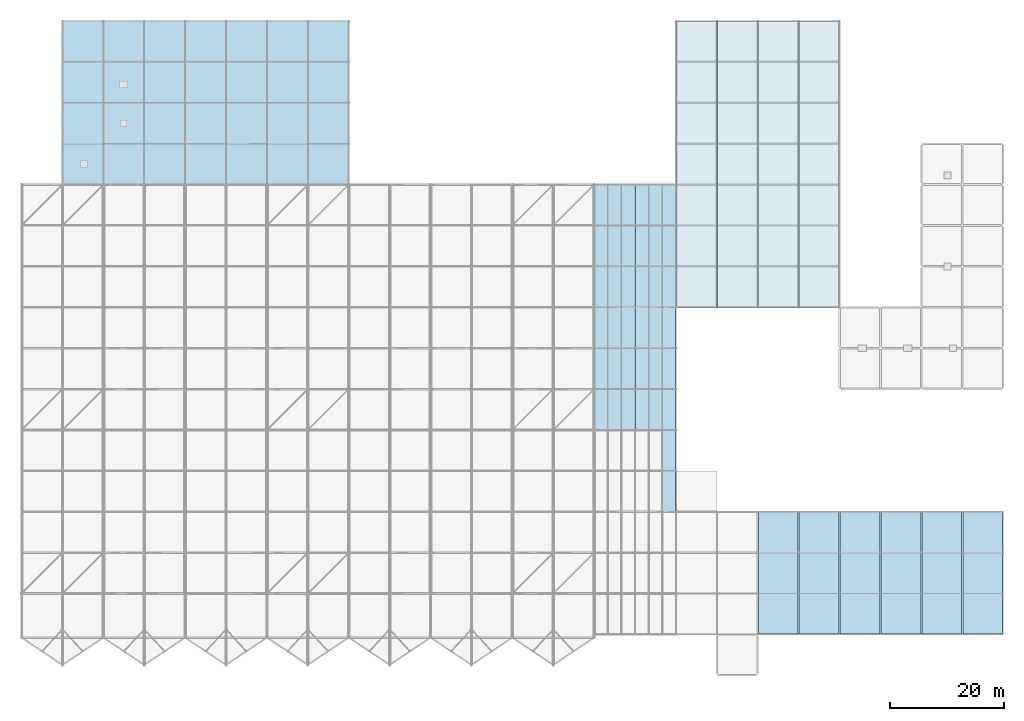
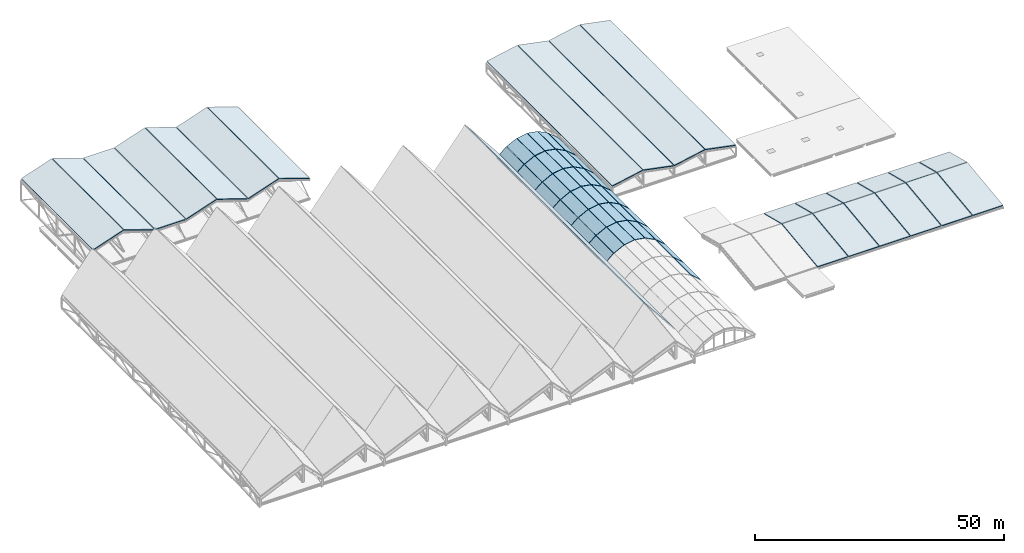
# One storey, part 59 of 60: 62 roofs.
"""IFC4 building model written with IfcOpenShell, lengths in metres."""

from ifc_helpers import new_model, si_unit, direction, frame, origin, place, context, subcontext, project, spatial, polyline, outline, extrude, material, layer, layer_set, type_object, element, save


model = new_model("IFC4")

# Units and contexts
model_context = context("Model", 3, precision=1e-05, world=origin(), true_north=direction((0.0, 1.0)))
body_context = subcontext(model_context, "Body", "Model", "MODEL_VIEW")
ifc_project = project(units=[si_unit("LENGTHUNIT", "METRE"), si_unit("AREAUNIT", "SQUARE_METRE"), si_unit("VOLUMEUNIT", "CUBIC_METRE"), si_unit("PLANEANGLEUNIT", "RADIAN"), si_unit("MASSUNIT", "GRAM", prefix="KILO")], contexts=[model_context])

# Site, building, storey
site_placement = place(None, origin())
site = spatial("IfcSite", under=ifc_project, at=site_placement, CompositionType="ELEMENT")
building_placement = place(site_placement, origin())
building = spatial("IfcBuilding", under=site, at=building_placement, Name="Vesperath Aquatics Centre", CompositionType="ELEMENT")
storey_placement = place(building_placement, frame((0.0, 0.0, 27.60009765625)))
storey = spatial("IfcBuildingStorey", under=building, at=storey_placement, Name="RF", CompositionType="ELEMENT", Elevation=27.60009765625)

# Roofs
ifc_material_1 = material(Name="Insulated zinc-copper and aerogel barrel vault roof")
ifc_layer_1 = layer(ifc_material_1, 0.199951171875)
ifc_layer_set_1 = layer_set([ifc_layer_1], Name="Insulated zinc-copper and aerogel barrel vault roof")
roof_type_1 = type_object("IfcRoofType", Name="RF-BV01", PredefinedType="BARREL_ROOF", material=ifc_layer_set_1)
for number, where, z_axis, x_axis, name in (
    (1, (112.840087890625, 28.840087890625, -8.9501953125), (0.652968003317, 0.0, 0.757385494081), (0.757385494081, 0.0, -0.652968003317), "Conservatory Barrel Vault Facet RFB1 E-6"),
    (2, (112.840087890625, 36.0400390625, -8.9501953125), (0.652968003317, 0.0, 0.757385494081), (0.757385494081, 0.0, -0.652968003317), "Conservatory Barrel Vault Facet RFB1 F-6"),
):
    element("IfcRoof", number, at=place(storey_placement, frame(where, z_axis=z_axis, x_axis=x_axis)), inside=storey, type_object=roof_type_1, Name=name, PredefinedType="BARREL_ROOF", context=body_context, shape_type="SweptSolid", body=[
        extrude(outline(polyline([(0.0, 0.0), (3.06293721873287, 0.0), (3.06293721873287, 7.119873046875), (0.0, 7.119873046875), (0.0, 0.0)])), origin(), (0.0, 0.0, -1.0), 0.199951171875),
    ])
roof_1_placement = place(storey_placement, frame((100.840087890625, 43.239990234375, -10.9501953125), z_axis=(-0.652968003317, 0.0, 0.757385494081), x_axis=(0.757385494081, 0.0, 0.652968003317)))
element("IfcRoof", 3, at=roof_1_placement, inside=storey, type_object=roof_type_1, Name="Conservatory Barrel Vault Facet RFB1 G-1", PredefinedType="BARREL_ROOF", context=body_context, shape_type="SweptSolid", body=[
    extrude(outline(polyline([(0.0, 0.0), (3.06293721873287, 0.0), (3.06293721873287, 7.120117187499999), (0.0, 7.120117187499999), (0.0, 0.0)])), origin(), (0.0, 0.0, -1.0), 0.199951171875),
])
roof_2_placement = place(storey_placement, frame((103.239990234375, 43.239990234375, -8.9501953125), z_axis=(-0.459471228617, 0.0, 0.888192653692), x_axis=(0.888192653692, 0.0, 0.459471228617)))
element("IfcRoof", 4, at=roof_2_placement, inside=storey, type_object=roof_type_1, Name="Conservatory Barrel Vault Facet RFB1 G-2", PredefinedType="BARREL_ROOF", context=body_context, shape_type="SweptSolid", body=[
    extrude(outline(polyline([(0.0, 0.0), (2.6121228876758416, 0.0), (2.6121228876758416, 7.1201171875), (0.0, 7.1201171875), (0.0, 0.0)])), origin(), (0.0, 0.0, -1.0), 0.199951171875),
])
for number, where, z_axis, x_axis, name in (
    (5, (105.639892578125, 43.239990234375, -7.75), (-0.169861771792, 0.0, 0.985467898251), (0.985467898251, 0.0, 0.169861771792), "Conservatory Barrel Vault Facet RFB1 G-3"),
    (6, (108.0400390625, 43.239990234375, -7.35009765625), (0.169861771792, 0.0, 0.985467898251), (0.985467898251, 0.0, -0.169861771792), "Conservatory Barrel Vault Facet RFB1 G-4"),
):
    element("IfcRoof", number, at=place(storey_placement, frame(where, z_axis=z_axis, x_axis=x_axis)), inside=storey, type_object=roof_type_1, Name=name, PredefinedType="BARREL_ROOF", context=body_context, shape_type="SweptSolid", body=[
        extrude(outline(polyline([(0.0, 0.0), (2.3542810105655927, 0.0), (2.3542810105655927, 7.1201171875), (0.0, 7.1201171875), (0.0, 0.0)])), origin(), (0.0, 0.0, -1.0), 0.199951171875),
    ])
roof_3_placement = place(storey_placement, frame((110.43994140625, 43.239990234375, -7.75), z_axis=(0.459471228617, 0.0, 0.888192653692), x_axis=(0.888192653692, 0.0, -0.459471228617)))
element("IfcRoof", 7, at=roof_3_placement, inside=storey, type_object=roof_type_1, Name="Conservatory Barrel Vault Facet RFB1 G-5", PredefinedType="BARREL_ROOF", context=body_context, shape_type="SweptSolid", body=[
    extrude(outline(polyline([(0.0, 0.0), (2.6121228876758416, 0.0), (2.6121228876758416, 7.1201171875), (0.0, 7.1201171875), (0.0, 0.0)])), origin(), (0.0, 0.0, -1.0), 0.199951171875),
])
for number, where, z_axis, x_axis, name in (
    (8, (112.840087890625, 43.239990234375, -8.9501953125), (0.652968003317, 0.0, 0.757385494081), (0.757385494081, 0.0, -0.652968003317), "Conservatory Barrel Vault Facet RFB1 G-6"),
    (9, (100.840087890625, 50.43994140625, -10.9501953125), (-0.652968003317, 0.0, 0.757385494081), (0.757385494081, 0.0, 0.652968003317), "Conservatory Barrel Vault Facet RFB1 H-1"),
):
    element("IfcRoof", number, at=place(storey_placement, frame(where, z_axis=z_axis, x_axis=x_axis)), inside=storey, type_object=roof_type_1, Name=name, PredefinedType="BARREL_ROOF", context=body_context, shape_type="SweptSolid", body=[
        extrude(outline(polyline([(0.0, 0.0), (3.06293721873287, 0.0), (3.06293721873287, 7.120117187499999), (0.0, 7.120117187499999), (0.0, 0.0)])), origin(), (0.0, 0.0, -1.0), 0.199951171875),
    ])
roof_4_placement = place(storey_placement, frame((103.239990234375, 50.43994140625, -8.9501953125), z_axis=(-0.459471228617, 0.0, 0.888192653692), x_axis=(0.888192653692, 0.0, 0.459471228617)))
element("IfcRoof", 10, at=roof_4_placement, inside=storey, type_object=roof_type_1, Name="Conservatory Barrel Vault Facet RFB1 H-2", PredefinedType="BARREL_ROOF", context=body_context, shape_type="SweptSolid", body=[
    extrude(outline(polyline([(0.0, 0.0), (2.6121228876758416, 0.0), (2.6121228876758416, 7.1201171875), (0.0, 7.1201171875), (0.0, 0.0)])), origin(), (0.0, 0.0, -1.0), 0.199951171875),
])
for number, where, z_axis, x_axis, name in (
    (11, (105.639892578125, 50.43994140625, -7.75), (-0.169861771792, 0.0, 0.985467898251), (0.985467898251, 0.0, 0.169861771792), "Conservatory Barrel Vault Facet RFB1 H-3"),
    (12, (108.0400390625, 50.43994140625, -7.35009765625), (0.169861771792, 0.0, 0.985467898251), (0.985467898251, 0.0, -0.169861771792), "Conservatory Barrel Vault Facet RFB1 H-4"),
):
    element("IfcRoof", number, at=place(storey_placement, frame(where, z_axis=z_axis, x_axis=x_axis)), inside=storey, type_object=roof_type_1, Name=name, PredefinedType="BARREL_ROOF", context=body_context, shape_type="SweptSolid", body=[
        extrude(outline(polyline([(0.0, 0.0), (2.3542810105655927, 0.0), (2.3542810105655927, 7.1201171875), (0.0, 7.1201171875), (0.0, 0.0)])), origin(), (0.0, 0.0, -1.0), 0.199951171875),
    ])
roof_5_placement = place(storey_placement, frame((110.43994140625, 50.43994140625, -7.75), z_axis=(0.459471228617, 0.0, 0.888192653692), x_axis=(0.888192653692, 0.0, -0.459471228617)))
element("IfcRoof", 13, at=roof_5_placement, inside=storey, type_object=roof_type_1, Name="Conservatory Barrel Vault Facet RFB1 H-5", PredefinedType="BARREL_ROOF", context=body_context, shape_type="SweptSolid", body=[
    extrude(outline(polyline([(0.0, 0.0), (2.6121228876758416, 0.0), (2.6121228876758416, 7.1201171875), (0.0, 7.1201171875), (0.0, 0.0)])), origin(), (0.0, 0.0, -1.0), 0.199951171875),
])
for number, where, z_axis, x_axis, name in (
    (14, (112.840087890625, 50.43994140625, -8.9501953125), (0.652968003317, 0.0, 0.757385494081), (0.757385494081, 0.0, -0.652968003317), "Conservatory Barrel Vault Facet RFB1 H-6"),
    (15, (100.840087890625, 57.639892578125, -10.9501953125), (-0.652968003317, 0.0, 0.757385494081), (0.757385494081, 0.0, 0.652968003317), "Conservatory Barrel Vault Facet RFB1 J-1"),
):
    element("IfcRoof", number, at=place(storey_placement, frame(where, z_axis=z_axis, x_axis=x_axis)), inside=storey, type_object=roof_type_1, Name=name, PredefinedType="BARREL_ROOF", context=body_context, shape_type="SweptSolid", body=[
        extrude(outline(polyline([(0.0, 0.0), (3.06293721873287, 0.0), (3.06293721873287, 7.120117187499999), (0.0, 7.120117187499999), (0.0, 0.0)])), origin(), (0.0, 0.0, -1.0), 0.199951171875),
    ])
roof_6_placement = place(storey_placement, frame((103.239990234375, 57.639892578125, -8.9501953125), z_axis=(-0.459471228617, 0.0, 0.888192653692), x_axis=(0.888192653692, 0.0, 0.459471228617)))
element("IfcRoof", 16, at=roof_6_placement, inside=storey, type_object=roof_type_1, Name="Conservatory Barrel Vault Facet RFB1 J-2", PredefinedType="BARREL_ROOF", context=body_context, shape_type="SweptSolid", body=[
    extrude(outline(polyline([(0.0, 0.0), (2.6121228876758416, 0.0), (2.6121228876758416, 7.1201171875), (0.0, 7.1201171875), (0.0, 0.0)])), origin(), (0.0, 0.0, -1.0), 0.199951171875),
])
for number, where, z_axis, x_axis, name in (
    (17, (105.639892578125, 57.639892578125, -7.75), (-0.169861771792, 0.0, 0.985467898251), (0.985467898251, 0.0, 0.169861771792), "Conservatory Barrel Vault Facet RFB1 J-3"),
    (18, (108.0400390625, 57.639892578125, -7.35009765625), (0.169861771792, 0.0, 0.985467898251), (0.985467898251, 0.0, -0.169861771792), "Conservatory Barrel Vault Facet RFB1 J-4"),
):
    element("IfcRoof", number, at=place(storey_placement, frame(where, z_axis=z_axis, x_axis=x_axis)), inside=storey, type_object=roof_type_1, Name=name, PredefinedType="BARREL_ROOF", context=body_context, shape_type="SweptSolid", body=[
        extrude(outline(polyline([(0.0, 0.0), (2.3542810105655927, 0.0), (2.3542810105655927, 7.1201171875), (0.0, 7.1201171875), (0.0, 0.0)])), origin(), (0.0, 0.0, -1.0), 0.199951171875),
    ])
roof_7_placement = place(storey_placement, frame((110.43994140625, 57.639892578125, -7.75), z_axis=(0.459471228617, 0.0, 0.888192653692), x_axis=(0.888192653692, 0.0, -0.459471228617)))
element("IfcRoof", 19, at=roof_7_placement, inside=storey, type_object=roof_type_1, Name="Conservatory Barrel Vault Facet RFB1 J-5", PredefinedType="BARREL_ROOF", context=body_context, shape_type="SweptSolid", body=[
    extrude(outline(polyline([(0.0, 0.0), (2.6121228876758416, 0.0), (2.6121228876758416, 7.1201171875), (0.0, 7.1201171875), (0.0, 0.0)])), origin(), (0.0, 0.0, -1.0), 0.199951171875),
])
roof_8_placement = place(storey_placement, frame((112.840087890625, 57.639892578125, -8.9501953125), z_axis=(0.652968003317, 0.0, 0.757385494081), x_axis=(0.757385494081, 0.0, -0.652968003317)))
element("IfcRoof", 20, at=roof_8_placement, inside=storey, type_object=roof_type_1, Name="Conservatory Barrel Vault Facet RFB1 J-6", PredefinedType="BARREL_ROOF", context=body_context, shape_type="SweptSolid", body=[
    extrude(outline(polyline([(0.0, 0.0), (3.06293721873287, 0.0), (3.06293721873287, 7.120117187499999), (0.0, 7.120117187499999), (0.0, 0.0)])), origin(), (0.0, 0.0, -1.0), 0.199951171875),
])
roof_9_placement = place(storey_placement, frame((100.840087890625, 64.840087890625, -10.9501953125), z_axis=(-0.652968003317, 0.0, 0.757385494081), x_axis=(0.757385494081, 0.0, 0.652968003317)))
element("IfcRoof", 21, at=roof_9_placement, inside=storey, type_object=roof_type_1, Name="Conservatory Barrel Vault Facet RFB1 K-1", PredefinedType="BARREL_ROOF", context=body_context, shape_type="SweptSolid", body=[
    extrude(outline(polyline([(0.0, 0.0), (3.06293721873287, 0.0), (3.06293721873287, 7.119873046875), (0.0, 7.119873046875), (0.0, 0.0)])), origin(), (0.0, 0.0, -1.0), 0.199951171875),
])
roof_10_placement = place(storey_placement, frame((103.239990234375, 64.840087890625, -8.9501953125), z_axis=(-0.459471228617, 0.0, 0.888192653692), x_axis=(0.888192653692, 0.0, 0.459471228617)))
element("IfcRoof", 22, at=roof_10_placement, inside=storey, type_object=roof_type_1, Name="Conservatory Barrel Vault Facet RFB1 K-2", PredefinedType="BARREL_ROOF", context=body_context, shape_type="SweptSolid", body=[
    extrude(outline(polyline([(0.0, 0.0), (2.6121228876758416, 0.0), (2.6121228876758416, 7.119873046874999), (0.0, 7.119873046874999), (0.0, 0.0)])), origin(), (0.0, 0.0, -1.0), 0.199951171875),
])
for number, where, z_axis, x_axis, name in (
    (23, (105.639892578125, 64.840087890625, -7.75), (-0.169861771792, 0.0, 0.985467898251), (0.985467898251, 0.0, 0.169861771792), "Conservatory Barrel Vault Facet RFB1 K-3"),
    (24, (108.0400390625, 64.840087890625, -7.35009765625), (0.169861771792, 0.0, 0.985467898251), (0.985467898251, 0.0, -0.169861771792), "Conservatory Barrel Vault Facet RFB1 K-4"),
):
    element("IfcRoof", number, at=place(storey_placement, frame(where, z_axis=z_axis, x_axis=x_axis)), inside=storey, type_object=roof_type_1, Name=name, PredefinedType="BARREL_ROOF", context=body_context, shape_type="SweptSolid", body=[
        extrude(outline(polyline([(0.0, 0.0), (2.3542810105655927, 0.0), (2.3542810105655927, 7.119873046875002), (0.0, 7.119873046875002), (0.0, 0.0)])), origin(), (0.0, 0.0, -1.0), 0.199951171875),
    ])
roof_11_placement = place(storey_placement, frame((110.43994140625, 64.840087890625, -7.75), z_axis=(0.459471228617, 0.0, 0.888192653692), x_axis=(0.888192653692, 0.0, -0.459471228617)))
element("IfcRoof", 25, at=roof_11_placement, inside=storey, type_object=roof_type_1, Name="Conservatory Barrel Vault Facet RFB1 K-5", PredefinedType="BARREL_ROOF", context=body_context, shape_type="SweptSolid", body=[
    extrude(outline(polyline([(0.0, 0.0), (2.6121228876758416, 0.0), (2.6121228876758416, 7.119873046874999), (0.0, 7.119873046874999), (0.0, 0.0)])), origin(), (0.0, 0.0, -1.0), 0.199951171875),
])
for number, where, z_axis, x_axis, name in (
    (26, (112.840087890625, 64.840087890625, -8.9501953125), (0.652968003317, 0.0, 0.757385494081), (0.757385494081, 0.0, -0.652968003317), "Conservatory Barrel Vault Facet RFB1 K-6"),
    (27, (100.840087890625, 72.0400390625, -10.9501953125), (-0.652968003317, 0.0, 0.757385494081), (0.757385494081, 0.0, 0.652968003317), "Conservatory Barrel Vault Facet RFB1 L-1"),
):
    element("IfcRoof", number, at=place(storey_placement, frame(where, z_axis=z_axis, x_axis=x_axis)), inside=storey, type_object=roof_type_1, Name=name, PredefinedType="BARREL_ROOF", context=body_context, shape_type="SweptSolid", body=[
        extrude(outline(polyline([(0.0, 0.0), (3.06293721873287, 0.0), (3.06293721873287, 7.119873046875), (0.0, 7.119873046875), (0.0, 0.0)])), origin(), (0.0, 0.0, -1.0), 0.199951171875),
    ])
roof_12_placement = place(storey_placement, frame((103.239990234375, 72.0400390625, -8.9501953125), z_axis=(-0.459471228617, 0.0, 0.888192653692), x_axis=(0.888192653692, 0.0, 0.459471228617)))
element("IfcRoof", 28, at=roof_12_placement, inside=storey, type_object=roof_type_1, Name="Conservatory Barrel Vault Facet RFB1 L-2", PredefinedType="BARREL_ROOF", context=body_context, shape_type="SweptSolid", body=[
    extrude(outline(polyline([(0.0, 0.0), (2.6121228876758416, 0.0), (2.6121228876758416, 7.119873046874999), (0.0, 7.119873046874999), (0.0, 0.0)])), origin(), (0.0, 0.0, -1.0), 0.199951171875),
])
for number, where, z_axis, x_axis, name in (
    (29, (105.639892578125, 72.0400390625, -7.75), (-0.169861771792, 0.0, 0.985467898251), (0.985467898251, 0.0, 0.169861771792), "Conservatory Barrel Vault Facet RFB1 L-3"),
    (30, (108.0400390625, 72.0400390625, -7.35009765625), (0.169861771792, 0.0, 0.985467898251), (0.985467898251, 0.0, -0.169861771792), "Conservatory Barrel Vault Facet RFB1 L-4"),
):
    element("IfcRoof", number, at=place(storey_placement, frame(where, z_axis=z_axis, x_axis=x_axis)), inside=storey, type_object=roof_type_1, Name=name, PredefinedType="BARREL_ROOF", context=body_context, shape_type="SweptSolid", body=[
        extrude(outline(polyline([(0.0, 0.0), (2.3542810105655927, 0.0), (2.3542810105655927, 7.119873046875002), (0.0, 7.119873046875002), (0.0, 0.0)])), origin(), (0.0, 0.0, -1.0), 0.199951171875),
    ])
roof_13_placement = place(storey_placement, frame((110.43994140625, 72.0400390625, -7.75), z_axis=(0.459471228617, 0.0, 0.888192653692), x_axis=(0.888192653692, 0.0, -0.459471228617)))
element("IfcRoof", 31, at=roof_13_placement, inside=storey, type_object=roof_type_1, Name="Conservatory Barrel Vault Facet RFB1 L-5", PredefinedType="BARREL_ROOF", context=body_context, shape_type="SweptSolid", body=[
    extrude(outline(polyline([(0.0, 0.0), (2.6121228876758416, 0.0), (2.6121228876758416, 7.119873046874999), (0.0, 7.119873046874999), (0.0, 0.0)])), origin(), (0.0, 0.0, -1.0), 0.199951171875),
])
roof_14_placement = place(storey_placement, frame((112.840087890625, 72.0400390625, -8.9501953125), z_axis=(0.652968003317, 0.0, 0.757385494081), x_axis=(0.757385494081, 0.0, -0.652968003317)))
element("IfcRoof", 32, at=roof_14_placement, inside=storey, type_object=roof_type_1, Name="Conservatory Barrel Vault Facet RFB1 L-6", PredefinedType="BARREL_ROOF", context=body_context, shape_type="SweptSolid", body=[
    extrude(outline(polyline([(0.0, 0.0), (3.06293721873287, 0.0), (3.06293721873287, 7.119873046875), (0.0, 7.119873046875), (0.0, 0.0)])), origin(), (0.0, 0.0, -1.0), 0.199951171875),
])
roof_15_placement = place(storey_placement, frame((100.840087890625, 79.239990234375, -10.9501953125), z_axis=(-0.652968003317, 0.0, 0.757385494081), x_axis=(0.757385494081, 0.0, 0.652968003317)))
element("IfcRoof", 33, at=roof_15_placement, inside=storey, type_object=roof_type_1, Name="Conservatory Barrel Vault Facet RFB1 M-1", PredefinedType="BARREL_ROOF", context=body_context, shape_type="SweptSolid", body=[
    extrude(outline(polyline([(0.0, 0.0), (3.06293721873287, 0.0), (3.06293721873287, 7.120117187499999), (0.0, 7.120117187499999), (0.0, 0.0)])), origin(), (0.0, 0.0, -1.0), 0.199951171875),
])
roof_16_placement = place(storey_placement, frame((103.239990234375, 79.239990234375, -8.9501953125), z_axis=(-0.459471228617, 0.0, 0.888192653692), x_axis=(0.888192653692, 0.0, 0.459471228617)))
element("IfcRoof", 34, at=roof_16_placement, inside=storey, type_object=roof_type_1, Name="Conservatory Barrel Vault Facet RFB1 M-2", PredefinedType="BARREL_ROOF", context=body_context, shape_type="SweptSolid", body=[
    extrude(outline(polyline([(0.0, 0.0), (2.6121228876758416, 0.0), (2.6121228876758416, 7.1201171875), (0.0, 7.1201171875), (0.0, 0.0)])), origin(), (0.0, 0.0, -1.0), 0.199951171875),
])
for number, where, z_axis, x_axis, name in (
    (35, (105.639892578125, 79.239990234375, -7.75), (-0.169861771792, 0.0, 0.985467898251), (0.985467898251, 0.0, 0.169861771792), "Conservatory Barrel Vault Facet RFB1 M-3"),
    (36, (108.0400390625, 79.239990234375, -7.35009765625), (0.169861771792, 0.0, 0.985467898251), (0.985467898251, 0.0, -0.169861771792), "Conservatory Barrel Vault Facet RFB1 M-4"),
):
    element("IfcRoof", number, at=place(storey_placement, frame(where, z_axis=z_axis, x_axis=x_axis)), inside=storey, type_object=roof_type_1, Name=name, PredefinedType="BARREL_ROOF", context=body_context, shape_type="SweptSolid", body=[
        extrude(outline(polyline([(0.0, 0.0), (2.3542810105655927, 0.0), (2.3542810105655927, 7.1201171875), (0.0, 7.1201171875), (0.0, 0.0)])), origin(), (0.0, 0.0, -1.0), 0.199951171875),
    ])
roof_17_placement = place(storey_placement, frame((110.43994140625, 79.239990234375, -7.75), z_axis=(0.459471228617, 0.0, 0.888192653692), x_axis=(0.888192653692, 0.0, -0.459471228617)))
element("IfcRoof", 37, at=roof_17_placement, inside=storey, type_object=roof_type_1, Name="Conservatory Barrel Vault Facet RFB1 M-5", PredefinedType="BARREL_ROOF", context=body_context, shape_type="SweptSolid", body=[
    extrude(outline(polyline([(0.0, 0.0), (2.6121228876758416, 0.0), (2.6121228876758416, 7.1201171875), (0.0, 7.1201171875), (0.0, 0.0)])), origin(), (0.0, 0.0, -1.0), 0.199951171875),
])
roof_18_placement = place(storey_placement, frame((112.840087890625, 79.239990234375, -8.9501953125), z_axis=(0.652968003317, 0.0, 0.757385494081), x_axis=(0.757385494081, 0.0, -0.652968003317)))
element("IfcRoof", 38, at=roof_18_placement, inside=storey, type_object=roof_type_1, Name="Conservatory Barrel Vault Facet RFB1 M-6", PredefinedType="BARREL_ROOF", context=body_context, shape_type="SweptSolid", body=[
    extrude(outline(polyline([(0.0, 0.0), (3.06293721873287, 0.0), (3.06293721873287, 7.120117187499999), (0.0, 7.120117187499999), (0.0, 0.0)])), origin(), (0.0, 0.0, -1.0), 0.199951171875),
])
ifc_material_2 = material(Name="Patinated zinc-copper standing-seam insulated roof")
ifc_layer_2 = layer(ifc_material_2, 0.219970703125)
ifc_layer_set_2 = layer_set([ifc_layer_2], Name="Patinated zinc-copper standing-seam insulated roof")
roof_type_2 = type_object("IfcRoofType", Name="RF-GB01", PredefinedType="GABLE_ROOF", material=ifc_layer_set_2)
roof_19_placement = place(storey_placement, frame((93.659912109375, 14.419921875, -0.315185546875), z_axis=(0.780860402906, 0.0, 0.624705555581), x_axis=(0.624705555581, 0.0, -0.780860402906)))
element("IfcRoof", 39, at=roof_19_placement, inside=storey, type_object=roof_type_2, Name="Natatorium Dark Folded Gable Roof Bay 7-E-HALL", PredefinedType="GABLE_ROOF", context=body_context, shape_type="SweptSolid", body=[
    extrude(outline(polyline([(0.0, 0.0), (11.333464320503404, 0.0), (11.333464320503404, 71.97998046874999), (0.0, 71.97998046874999), (0.0, 0.0)])), origin(), (0.0, 0.0, -1.0), 0.219970703125),
])
for number, where, z_axis, x_axis, name in (
    (40, (7.280029296875, 86.39990234375, -0.72021484375), (-0.322689967467, 0.0, 0.946504719955), (0.946504719955, 0.0, 0.322689967467), "Diving Hall Dark Folded Gable Roof Bay 1"),
    (41, (14.47998046875, 86.39990234375, 1.679931640625), (0.322689967467, 0.0, 0.946504719955), (0.946504719955, 0.0, -0.322689967467), "Diving Hall Dark Folded Gable Roof Bay 2"),
):
    element("IfcRoof", number, at=place(storey_placement, frame(where, z_axis=z_axis, x_axis=x_axis)), inside=storey, type_object=roof_type_2, Name=name, PredefinedType="GABLE_ROOF", context=body_context, shape_type="SweptSolid", body=[
        extrude(outline(polyline([(0.0, 0.0), (7.437933392279306, 0.0), (7.437933392279306, 28.800048828125007), (0.0, 28.800048828125007), (0.0, 0.0)])), origin(), (0.0, 0.0, -1.0), 0.219970703125),
    ])
roof_20_placement = place(storey_placement, frame((21.679931640625, 86.39990234375, -0.72021484375), z_axis=(0.0, 0.0, 1.0), x_axis=(1.0, 0.0, 0.0)))
element("IfcRoof", 42, at=roof_20_placement, inside=storey, type_object=roof_type_2, Name="Diving Hall Dark Folded Gable Roof Bay 3", PredefinedType="GABLE_ROOF", context=body_context, shape_type="SweptSolid", body=[
    extrude(outline(polyline([(0.0, 0.0), (7.0400390625, 0.0), (7.0400390625, 28.800048828125), (0.0, 28.800048828125), (0.0, 0.0)])), origin(), (0.0, 0.0, -1.0), 0.219970703125),
])
for number, where, z_axis, x_axis, name in (
    (43, (28.8798828125, 86.39990234375, -0.72021484375), (-0.322689967467, 0.0, 0.946504719955), (0.946504719955, 0.0, 0.322689967467), "Diving Hall Dark Folded Gable Roof Bay 4"),
    (44, (36.080078125, 86.39990234375, 1.679931640625), (0.322689967467, 0.0, 0.946504719955), (0.946504719955, 0.0, -0.322689967467), "Diving Hall Dark Folded Gable Roof Bay 5"),
    (45, (43.280029296875, 86.39990234375, -0.72021484375), (-0.322689967467, 0.0, 0.946504719955), (0.946504719955, 0.0, 0.322689967467), "Diving Hall Dark Folded Gable Roof Bay 6"),
    (46, (50.47998046875, 86.39990234375, 1.679931640625), (0.322689967467, 0.0, 0.946504719955), (0.946504719955, 0.0, -0.322689967467), "Diving Hall Dark Folded Gable Roof Bay 7"),
):
    element("IfcRoof", number, at=place(storey_placement, frame(where, z_axis=z_axis, x_axis=x_axis)), inside=storey, type_object=roof_type_2, Name=name, PredefinedType="GABLE_ROOF", context=body_context, shape_type="SweptSolid", body=[
        extrude(outline(polyline([(0.0, 0.0), (7.437933392279306, 0.0), (7.437933392279306, 28.800048828125007), (0.0, 28.800048828125007), (0.0, 0.0)])), origin(), (0.0, 0.0, -1.0), 0.219970703125),
    ])
for number, where, z_axis, x_axis, name in (
    (47, (115.280029296875, 64.800048828125, -9.739990234375), (-0.195030217101, 0.0, 0.9807972341), (0.9807972341, 0.0, 0.195030217101), "Training Wing Lower Folded Gable Roof Bay 1"),
    (48, (122.47998046875, 64.800048828125, -8.340087890625), (0.195030217101, 0.0, 0.9807972341), (0.9807972341, 0.0, -0.195030217101), "Training Wing Lower Folded Gable Roof Bay 2"),
    (49, (129.679931640625, 64.800048828125, -9.739990234375), (-0.195030217101, 0.0, 0.9807972341), (0.9807972341, 0.0, 0.195030217101), "Training Wing Lower Folded Gable Roof Bay 3"),
    (50, (136.8798828125, 64.800048828125, -8.340087890625), (0.195030217101, 0.0, 0.9807972341), (0.9807972341, 0.0, -0.195030217101), "Training Wing Lower Folded Gable Roof Bay 4"),
):
    element("IfcRoof", number, at=place(storey_placement, frame(where, z_axis=z_axis, x_axis=x_axis)), inside=storey, type_object=roof_type_2, Name=name, PredefinedType="GABLE_ROOF", context=body_context, shape_type="SweptSolid", body=[
        extrude(outline(polyline([(0.0, 0.0), (7.177874098475302, 0.0), (7.177874098475302, 50.39990234375), (0.0, 50.39990234375), (0.0, 0.0)])), origin(), (0.0, 0.0, -1.0), 0.219970703125),
    ])
roof_21_placement = place(storey_placement, frame((129.699951171875, 7.239990234375, 0.2998046875), z_axis=(0.0, -0.124805543827, 0.992181221466), x_axis=(1.0, 0.0, 0.0)))
element("IfcRoof", 51, at=roof_21_placement, inside=storey, type_object=roof_type_2, Name="Boulevard Snow-Shedding Roof S-19", PredefinedType="GABLE_ROOF", context=body_context, shape_type="SweptSolid", body=[
    extrude(outline(polyline([(0.0, 0.0), (7.0, 0.0), (7.0, 14.422827487708242), (0.0, 14.422827487708242), (0.0, 0.0)])), origin(), (0.0, 0.0, -1.0), 0.219970703125),
])
roof_22_placement = place(storey_placement, frame((129.699951171875, 21.64990234375, 2.099853515625), z_axis=(0.0, 0.245424638793, 0.969415672802), x_axis=(1.0, 0.0, 0.0)))
element("IfcRoof", 52, at=roof_22_placement, inside=storey, type_object=roof_type_2, Name="Boulevard Snow-Shedding Roof N-19", PredefinedType="GABLE_ROOF", context=body_context, shape_type="SweptSolid", body=[
    extrude(outline(polyline([(0.0, 0.0), (7.0, 0.0), (7.0, 7.3344259035207475), (0.0, 7.3344259035207475), (0.0, 0.0)])), origin(), (0.0, 0.0, -1.0), 0.219970703125),
])
roof_23_placement = place(storey_placement, frame((136.89990234375, 7.239990234375, 0.2998046875), z_axis=(0.0, -0.124805543827, 0.992181221466), x_axis=(1.0, 0.0, 0.0)))
element("IfcRoof", 53, at=roof_23_placement, inside=storey, type_object=roof_type_2, Name="Boulevard Snow-Shedding Roof S-20", PredefinedType="GABLE_ROOF", context=body_context, shape_type="SweptSolid", body=[
    extrude(outline(polyline([(0.0, 0.0), (7.0, 0.0), (7.0, 14.422827487708242), (0.0, 14.422827487708242), (0.0, 0.0)])), origin(), (0.0, 0.0, -1.0), 0.219970703125),
])
roof_24_placement = place(storey_placement, frame((136.89990234375, 21.64990234375, 2.099853515625), z_axis=(0.0, 0.245424638793, 0.969415672802), x_axis=(1.0, 0.0, 0.0)))
element("IfcRoof", 54, at=roof_24_placement, inside=storey, type_object=roof_type_2, Name="Boulevard Snow-Shedding Roof N-20", PredefinedType="GABLE_ROOF", context=body_context, shape_type="SweptSolid", body=[
    extrude(outline(polyline([(0.0, 0.0), (7.0, 0.0), (7.0, 7.3344259035207475), (0.0, 7.3344259035207475), (0.0, 0.0)])), origin(), (0.0, 0.0, -1.0), 0.219970703125),
])
roof_25_placement = place(storey_placement, frame((144.10009765625, 7.239990234375, 0.2998046875), z_axis=(0.0, -0.124805543827, 0.992181221466), x_axis=(1.0, 0.0, 0.0)))
element("IfcRoof", 55, at=roof_25_placement, inside=storey, type_object=roof_type_2, Name="Boulevard Snow-Shedding Roof S-21", PredefinedType="GABLE_ROOF", context=body_context, shape_type="SweptSolid", body=[
    extrude(outline(polyline([(0.0, 0.0), (7.0, 0.0), (7.0, 14.422827487708242), (0.0, 14.422827487708242), (0.0, 0.0)])), origin(), (0.0, 0.0, -1.0), 0.219970703125),
])
roof_26_placement = place(storey_placement, frame((144.10009765625, 21.64990234375, 2.099853515625), z_axis=(0.0, 0.245424638793, 0.969415672802), x_axis=(1.0, 0.0, 0.0)))
element("IfcRoof", 56, at=roof_26_placement, inside=storey, type_object=roof_type_2, Name="Boulevard Snow-Shedding Roof N-21", PredefinedType="GABLE_ROOF", context=body_context, shape_type="SweptSolid", body=[
    extrude(outline(polyline([(0.0, 0.0), (7.0, 0.0), (7.0, 7.3344259035207475), (0.0, 7.3344259035207475), (0.0, 0.0)])), origin(), (0.0, 0.0, -1.0), 0.219970703125),
])
roof_27_placement = place(storey_placement, frame((151.300048828125, 7.239990234375, 0.2998046875), z_axis=(0.0, -0.124805543827, 0.992181221466), x_axis=(1.0, 0.0, 0.0)))
element("IfcRoof", 57, at=roof_27_placement, inside=storey, type_object=roof_type_2, Name="Boulevard Snow-Shedding Roof S-22", PredefinedType="GABLE_ROOF", context=body_context, shape_type="SweptSolid", body=[
    extrude(outline(polyline([(0.0, 0.0), (7.0, 0.0), (7.0, 14.422827487708242), (0.0, 14.422827487708242), (0.0, 0.0)])), origin(), (0.0, 0.0, -1.0), 0.219970703125),
])
roof_28_placement = place(storey_placement, frame((151.300048828125, 21.64990234375, 2.099853515625), z_axis=(0.0, 0.245424638793, 0.969415672802), x_axis=(1.0, 0.0, 0.0)))
element("IfcRoof", 58, at=roof_28_placement, inside=storey, type_object=roof_type_2, Name="Boulevard Snow-Shedding Roof N-22", PredefinedType="GABLE_ROOF", context=body_context, shape_type="SweptSolid", body=[
    extrude(outline(polyline([(0.0, 0.0), (7.0, 0.0), (7.0, 7.3344259035207475), (0.0, 7.3344259035207475), (0.0, 0.0)])), origin(), (0.0, 0.0, -1.0), 0.219970703125),
])
roof_29_placement = place(storey_placement, frame((158.5, 7.239990234375, 0.2998046875), z_axis=(0.0, -0.124805543827, 0.992181221466), x_axis=(1.0, 0.0, 0.0)))
element("IfcRoof", 59, at=roof_29_placement, inside=storey, type_object=roof_type_2, Name="Boulevard Snow-Shedding Roof S-23", PredefinedType="GABLE_ROOF", context=body_context, shape_type="SweptSolid", body=[
    extrude(outline(polyline([(0.0, 0.0), (7.0, 0.0), (7.0, 14.422827487708242), (0.0, 14.422827487708242), (0.0, 0.0)])), origin(), (0.0, 0.0, -1.0), 0.219970703125),
])
roof_30_placement = place(storey_placement, frame((158.5, 21.64990234375, 2.099853515625), z_axis=(0.0, 0.245424638793, 0.969415672802), x_axis=(1.0, 0.0, 0.0)))
element("IfcRoof", 60, at=roof_30_placement, inside=storey, type_object=roof_type_2, Name="Boulevard Snow-Shedding Roof N-23", PredefinedType="GABLE_ROOF", context=body_context, shape_type="SweptSolid", body=[
    extrude(outline(polyline([(0.0, 0.0), (7.0, 0.0), (7.0, 7.3344259035207475), (0.0, 7.3344259035207475), (0.0, 0.0)])), origin(), (0.0, 0.0, -1.0), 0.219970703125),
])
roof_31_placement = place(storey_placement, frame((165.699951171875, 7.239990234375, 0.2998046875), z_axis=(0.0, -0.124805543827, 0.992181221466), x_axis=(1.0, 0.0, 0.0)))
element("IfcRoof", 61, at=roof_31_placement, inside=storey, type_object=roof_type_2, Name="Boulevard Snow-Shedding Roof S-24", PredefinedType="GABLE_ROOF", context=body_context, shape_type="SweptSolid", body=[
    extrude(outline(polyline([(0.0, 0.0), (7.0, 0.0), (7.0, 14.422827487708242), (0.0, 14.422827487708242), (0.0, 0.0)])), origin(), (0.0, 0.0, -1.0), 0.219970703125),
])
roof_32_placement = place(storey_placement, frame((165.699951171875, 21.64990234375, 2.099853515625), z_axis=(0.0, 0.245424638793, 0.969415672802), x_axis=(1.0, 0.0, 0.0)))
element("IfcRoof", 62, at=roof_32_placement, inside=storey, type_object=roof_type_2, Name="Boulevard Snow-Shedding Roof N-24", PredefinedType="GABLE_ROOF", context=body_context, shape_type="SweptSolid", body=[
    extrude(outline(polyline([(0.0, 0.0), (7.0, 0.0), (7.0, 7.3344259035207475), (0.0, 7.3344259035207475), (0.0, 0.0)])), origin(), (0.0, 0.0, -1.0), 0.219970703125),
])

save(model, "model.ifc")
